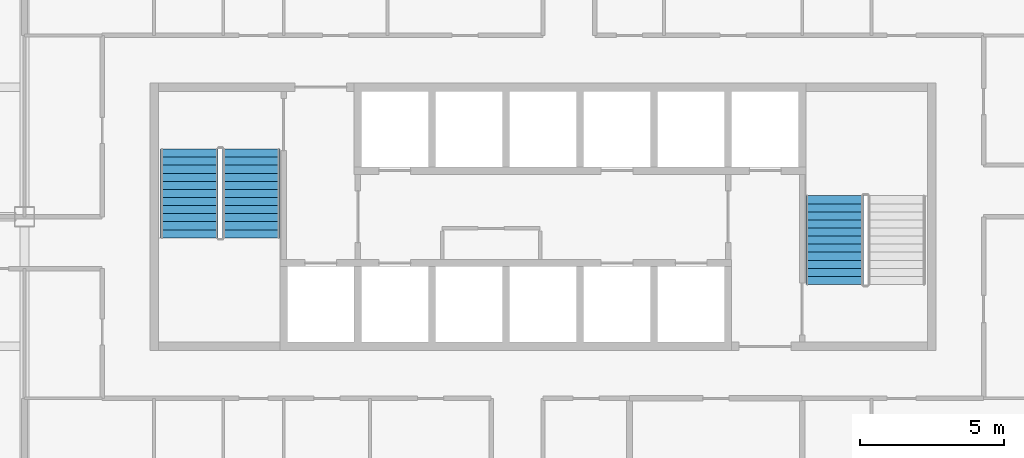
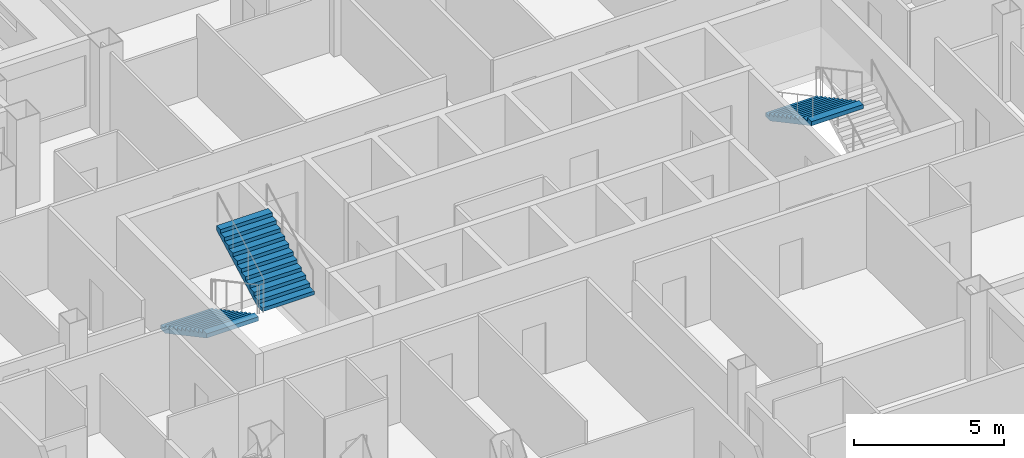
# One storey, part 11 of 15: 3 stair flights, 2 elements without a shape of their own.
"""IFC4 building model written with IfcOpenShell, lengths in metres."""

from ifc_helpers import new_model, si_unit, direction, frame, origin, place, context, subcontext, project, spatial, polygons, material, type_object, element, aggregate, save


model = new_model("IFC4")

# Units and contexts
model_context = context("Model", 3, precision=1e-05, world=origin(), true_north=direction((0.0, 1.0)))
body_context = subcontext(model_context, "Body", "Model", "MODEL_VIEW")
ifc_project = project(units=[si_unit("LENGTHUNIT", "METRE"), si_unit("AREAUNIT", "SQUARE_METRE"), si_unit("VOLUMEUNIT", "CUBIC_METRE"), si_unit("PLANEANGLEUNIT", "RADIAN"), si_unit("MASSUNIT", "GRAM", prefix="KILO")], contexts=[model_context])

# Site, building, storey
site_placement = place(None, origin())
site = spatial("IfcSite", under=ifc_project, at=site_placement, CompositionType="ELEMENT")
building_placement = place(site_placement, origin())
building = spatial("IfcBuilding", under=site, at=building_placement, Name="Caravel Reach Hotel and Residences", CompositionType="ELEMENT")
storey_placement = place(building_placement, frame((0.0, 0.0, 104.39990234375)))
storey = spatial("IfcBuildingStorey", under=building, at=storey_placement, Name="L25", CompositionType="ELEMENT", Elevation=104.39990234375)

# Stair, stair flights
ifc_material_1 = material(Name="Concrete C40", Category="concrete")
stair_type = type_object("IfcStairType", Name="Core stair", PredefinedType="HALF_TURN_STAIR", material=ifc_material_1)
stair_1_placement = place(storey_placement, origin())
stair_1 = element("IfcStair", 1, at=stair_1_placement, inside=storey, type_object=stair_type, Name="L25 Exit stair A", PredefinedType="HALF_TURN_STAIR")
ifc_material_2 = material(Name="Concrete C40", Category="concrete")
stair_flight_type = type_object("IfcStairFlightType", Name="Core stair flight", PredefinedType="STRAIGHT", material=ifc_material_2)
stair_flight_1_placement = place(storey_placement, frame((19.22509765625, 29.35009765625, 0.0), z_axis=(0.0, 0.0, 1.0), x_axis=(0.0, -1.0, 0.0)))
stair_flight_1 = element("IfcStairFlight", 2, at=stair_flight_1_placement, type_object=stair_flight_type, Name="ST-A flight 1", NumberOfRisers=12, NumberOfTreads=11, PredefinedType="STRAIGHT", RiserHeight=0.15, TreadLength=0.28, context=body_context, shape_type="Tessellation", body=[
    polygons([(0.3174408016601862, 1.0, 0.0), (0.3174408016601862, 0.6666666666666667, 0.0), (0.3174408016601862, 0.33333333333333337, 0.0), (0.3174408016601862, 0.0, 0.0), (0.3174408016601862, -0.33333333333333326, 0.0), (0.3174408016601862, -0.6666666666666667, 0.0), (0.3174408016601862, -1.0, 0.0), (3.081, 1.0, 1.479942427682043), (3.081, 0.6666666666666667, 1.479942427682043), (3.081, 0.33333333333333337, 1.479942427682043), (3.081, 0.0, 1.479942427682043), (3.081, -0.33333333333333326, 1.479942427682043), (3.081, -0.6666666666666667, 1.479942427682043), (3.081, -1.0, 1.479942427682043), (3.081, 1.0, 1.65), (3.081, 0.6666666666666667, 1.65), (3.081, 0.33333333333333337, 1.65), (3.081, 0.0, 1.65), (3.081, -0.33333333333333326, 1.65), (3.081, -0.6666666666666667, 1.65), (3.081, -1.0, 1.65), (2.8000000000000003, 1.0, 1.65), (2.8000000000000003, 0.6666666666666667, 1.65), (2.8000000000000003, 0.33333333333333337, 1.65), (2.8000000000000003, 0.0, 1.65), (2.8000000000000003, -0.33333333333333326, 1.65), (2.8000000000000003, -0.6666666666666667, 1.65), (2.8000000000000003, -1.0, 1.65), (2.8000000000000003, 1.0, 1.5), (2.8000000000000003, 0.6666666666666667, 1.5), (2.8000000000000003, 0.33333333333333337, 1.5), (2.8000000000000003, 0.0, 1.5), (2.8000000000000003, -0.33333333333333326, 1.5), (2.8000000000000003, -0.6666666666666667, 1.5), (2.8000000000000003, -1.0, 1.5), (2.5200000000000005, 1.0, 1.5), (2.5200000000000005, 0.6666666666666667, 1.5), (2.5200000000000005, 0.33333333333333337, 1.5), (2.5200000000000005, 0.0, 1.5), (2.5200000000000005, -0.33333333333333326, 1.5), (2.5200000000000005, -0.6666666666666667, 1.5), (2.5200000000000005, -1.0, 1.5), (2.5200000000000005, 1.0, 1.3499999999999999), (2.5200000000000005, 0.6666666666666667, 1.3499999999999999), (2.5200000000000005, 0.33333333333333337, 1.3499999999999999), (2.5200000000000005, 0.0, 1.3499999999999999), (2.5200000000000005, -0.33333333333333326, 1.3499999999999999), (2.5200000000000005, -0.6666666666666667, 1.3499999999999999), (2.5200000000000005, -1.0, 1.3499999999999999), (2.24, 1.0, 1.3499999999999999), (2.24, 0.6666666666666667, 1.3499999999999999), (2.24, 0.33333333333333337, 1.3499999999999999), (2.24, 0.0, 1.3499999999999999), (2.24, -0.33333333333333326, 1.3499999999999999), (2.24, -0.6666666666666667, 1.3499999999999999), (2.24, -1.0, 1.3499999999999999), (2.24, 1.0, 1.2), (2.24, 0.6666666666666667, 1.2), (2.24, 0.33333333333333337, 1.2), (2.24, 0.0, 1.2), (2.24, -0.33333333333333326, 1.2), (2.24, -0.6666666666666667, 1.2), (2.24, -1.0, 1.2), (1.9600000000000002, 1.0, 1.2), (1.9600000000000002, 0.6666666666666667, 1.2), (1.9600000000000002, 0.33333333333333337, 1.2), (1.9600000000000002, 0.0, 1.2), (1.9600000000000002, -0.33333333333333326, 1.2), (1.9600000000000002, -0.6666666666666667, 1.2), (1.9600000000000002, -1.0, 1.2), (1.9600000000000002, 1.0, 1.05), (1.9600000000000002, 0.6666666666666667, 1.05), (1.9600000000000002, 0.33333333333333337, 1.05), (1.9600000000000002, 0.0, 1.05), (1.9600000000000002, -0.33333333333333326, 1.05), (1.9600000000000002, -0.6666666666666667, 1.05), (1.9600000000000002, -1.0, 1.05), (1.6800000000000002, 1.0, 1.05), (1.6800000000000002, 0.6666666666666667, 1.05), (1.6800000000000002, 0.33333333333333337, 1.05), (1.6800000000000002, 0.0, 1.05), (1.6800000000000002, -0.33333333333333326, 1.05), (1.6800000000000002, -0.6666666666666667, 1.05), (1.6800000000000002, -1.0, 1.05), (1.6800000000000002, 1.0, 0.8999999999999999), (1.6800000000000002, 0.6666666666666667, 0.8999999999999999), (1.6800000000000002, 0.33333333333333337, 0.8999999999999999), (1.6800000000000002, 0.0, 0.8999999999999999), (1.6800000000000002, -0.33333333333333326, 0.8999999999999999), (1.6800000000000002, -0.6666666666666667, 0.8999999999999999), (1.6800000000000002, -1.0, 0.8999999999999999), (1.4000000000000001, 1.0, 0.8999999999999999), (1.4000000000000001, 0.6666666666666667, 0.8999999999999999), (1.4000000000000001, 0.33333333333333337, 0.8999999999999999), (1.4000000000000001, 0.0, 0.8999999999999999), (1.4000000000000001, -0.33333333333333326, 0.8999999999999999), (1.4000000000000001, -0.6666666666666667, 0.8999999999999999), (1.4000000000000001, -1.0, 0.8999999999999999), (1.4000000000000001, 1.0, 0.75), (1.4000000000000001, 0.6666666666666667, 0.75), (1.4000000000000001, 0.33333333333333337, 0.75), (1.4000000000000001, 0.0, 0.75), (1.4000000000000001, -0.33333333333333326, 0.75), (1.4000000000000001, -0.6666666666666667, 0.75), (1.4000000000000001, -1.0, 0.75), (1.12, 1.0, 0.75), (1.12, 0.6666666666666667, 0.75), (1.12, 0.33333333333333337, 0.75), (1.12, 0.0, 0.75), (1.12, -0.33333333333333326, 0.75), (1.12, -0.6666666666666667, 0.75), (1.12, -1.0, 0.75), (1.12, 1.0, 0.6), (1.12, 0.6666666666666667, 0.6), (1.12, 0.33333333333333337, 0.6), (1.12, 0.0, 0.6), (1.12, -0.33333333333333326, 0.6), (1.12, -0.6666666666666667, 0.6), (1.12, -1.0, 0.6), (0.8400000000000001, 1.0, 0.6), (0.8400000000000001, 0.6666666666666667, 0.6), (0.8400000000000001, 0.33333333333333337, 0.6), (0.8400000000000001, 0.0, 0.6), (0.8400000000000001, -0.33333333333333326, 0.6), (0.8400000000000001, -0.6666666666666667, 0.6), (0.8400000000000001, -1.0, 0.6), (0.8400000000000001, 1.0, 0.44999999999999996), (0.8400000000000001, 0.6666666666666667, 0.44999999999999996), (0.8400000000000001, 0.33333333333333337, 0.44999999999999996), (0.8400000000000001, 0.0, 0.44999999999999996), (0.8400000000000001, -0.33333333333333326, 0.44999999999999996), (0.8400000000000001, -0.6666666666666667, 0.44999999999999996), (0.8400000000000001, -1.0, 0.44999999999999996), (0.56, 1.0, 0.44999999999999996), (0.56, 0.6666666666666667, 0.44999999999999996), (0.56, 0.33333333333333337, 0.44999999999999996), (0.56, 0.0, 0.44999999999999996), (0.56, -0.33333333333333326, 0.44999999999999996), (0.56, -0.6666666666666667, 0.44999999999999996), (0.56, -1.0, 0.44999999999999996), (0.56, 1.0, 0.3), (0.56, 0.6666666666666667, 0.3), (0.56, 0.33333333333333337, 0.3), (0.56, 0.0, 0.3), (0.56, -0.33333333333333326, 0.3), (0.56, -0.6666666666666667, 0.3), (0.56, -1.0, 0.3), (0.28, 1.0, 0.3), (0.28, 0.6666666666666667, 0.3), (0.28, 0.33333333333333337, 0.3), (0.28, 0.0, 0.3), (0.28, -0.33333333333333326, 0.3), (0.28, -0.6666666666666667, 0.3), (0.28, -1.0, 0.3), (0.28, 1.0, 0.15), (0.28, 0.6666666666666667, 0.15), (0.28, 0.33333333333333337, 0.15), (0.28, 0.0, 0.15), (0.28, -0.33333333333333326, 0.15), (0.28, -0.6666666666666667, 0.15), (0.28, -1.0, 0.15), (-0.001, 1.0, 0.15), (-0.001, 0.6666666666666667, 0.15), (-0.001, 0.33333333333333337, 0.15), (-0.001, 0.0, 0.15), (-0.001, -0.33333333333333326, 0.15), (-0.001, -0.6666666666666667, 0.15), (-0.001, -1.0, 0.15), (-0.001, 1.0, 0.0), (-0.001, 0.6666666666666667, 0.0), (-0.001, 0.33333333333333337, 0.0), (-0.001, 0.0, 0.0), (-0.001, -0.33333333333333326, 0.0), (-0.001, -0.6666666666666667, 0.0), (-0.001, -1.0, 0.0)], [[[169, 162, 155, 148, 141, 134, 127, 120, 113, 106, 99, 92, 85, 78, 71, 64, 57, 50, 43, 36, 29, 22, 15, 8, 1]], [[7, 14, 21, 28, 35, 42, 49, 56, 63, 70, 77, 84, 91, 98, 105, 112, 119, 126, 133, 140, 147, 154, 161, 168, 175]], [[1, 8, 9, 2]], [[2, 9, 10, 3]], [[3, 10, 11, 4]], [[4, 11, 12, 5]], [[5, 12, 13, 6]], [[6, 13, 14, 7]], [[8, 15, 16, 9]], [[9, 16, 17, 10]], [[10, 17, 18, 11]], [[11, 18, 19, 12]], [[12, 19, 20, 13]], [[13, 20, 21, 14]], [[15, 22, 23, 16]], [[16, 23, 24, 17]], [[17, 24, 25, 18]], [[18, 25, 26, 19]], [[19, 26, 27, 20]], [[20, 27, 28, 21]], [[22, 29, 30, 23]], [[23, 30, 31, 24]], [[24, 31, 32, 25]], [[25, 32, 33, 26]], [[26, 33, 34, 27]], [[27, 34, 35, 28]], [[29, 36, 37, 30]], [[30, 37, 38, 31]], [[31, 38, 39, 32]], [[32, 39, 40, 33]], [[33, 40, 41, 34]], [[34, 41, 42, 35]], [[36, 43, 44, 37]], [[37, 44, 45, 38]], [[38, 45, 46, 39]], [[39, 46, 47, 40]], [[40, 47, 48, 41]], [[41, 48, 49, 42]], [[43, 50, 51, 44]], [[44, 51, 52, 45]], [[45, 52, 53, 46]], [[46, 53, 54, 47]], [[47, 54, 55, 48]], [[48, 55, 56, 49]], [[50, 57, 58, 51]], [[51, 58, 59, 52]], [[52, 59, 60, 53]], [[53, 60, 61, 54]], [[54, 61, 62, 55]], [[55, 62, 63, 56]], [[57, 64, 65, 58]], [[58, 65, 66, 59]], [[59, 66, 67, 60]], [[60, 67, 68, 61]], [[61, 68, 69, 62]], [[62, 69, 70, 63]], [[64, 71, 72, 65]], [[65, 72, 73, 66]], [[66, 73, 74, 67]], [[67, 74, 75, 68]], [[68, 75, 76, 69]], [[69, 76, 77, 70]], [[71, 78, 79, 72]], [[72, 79, 80, 73]], [[73, 80, 81, 74]], [[74, 81, 82, 75]], [[75, 82, 83, 76]], [[76, 83, 84, 77]], [[78, 85, 86, 79]], [[79, 86, 87, 80]], [[80, 87, 88, 81]], [[81, 88, 89, 82]], [[82, 89, 90, 83]], [[83, 90, 91, 84]], [[85, 92, 93, 86]], [[86, 93, 94, 87]], [[87, 94, 95, 88]], [[88, 95, 96, 89]], [[89, 96, 97, 90]], [[90, 97, 98, 91]], [[92, 99, 100, 93]], [[93, 100, 101, 94]], [[94, 101, 102, 95]], [[95, 102, 103, 96]], [[96, 103, 104, 97]], [[97, 104, 105, 98]], [[99, 106, 107, 100]], [[100, 107, 108, 101]], [[101, 108, 109, 102]], [[102, 109, 110, 103]], [[103, 110, 111, 104]], [[104, 111, 112, 105]], [[106, 113, 114, 107]], [[107, 114, 115, 108]], [[108, 115, 116, 109]], [[109, 116, 117, 110]], [[110, 117, 118, 111]], [[111, 118, 119, 112]], [[113, 120, 121, 114]], [[114, 121, 122, 115]], [[115, 122, 123, 116]], [[116, 123, 124, 117]], [[117, 124, 125, 118]], [[118, 125, 126, 119]], [[120, 127, 128, 121]], [[121, 128, 129, 122]], [[122, 129, 130, 123]], [[123, 130, 131, 124]], [[124, 131, 132, 125]], [[125, 132, 133, 126]], [[127, 134, 135, 128]], [[128, 135, 136, 129]], [[129, 136, 137, 130]], [[130, 137, 138, 131]], [[131, 138, 139, 132]], [[132, 139, 140, 133]], [[134, 141, 142, 135]], [[135, 142, 143, 136]], [[136, 143, 144, 137]], [[137, 144, 145, 138]], [[138, 145, 146, 139]], [[139, 146, 147, 140]], [[141, 148, 149, 142]], [[142, 149, 150, 143]], [[143, 150, 151, 144]], [[144, 151, 152, 145]], [[145, 152, 153, 146]], [[146, 153, 154, 147]], [[148, 155, 156, 149]], [[149, 156, 157, 150]], [[150, 157, 158, 151]], [[151, 158, 159, 152]], [[152, 159, 160, 153]], [[153, 160, 161, 154]], [[155, 162, 163, 156]], [[156, 163, 164, 157]], [[157, 164, 165, 158]], [[158, 165, 166, 159]], [[159, 166, 167, 160]], [[160, 167, 168, 161]], [[162, 169, 170, 163]], [[163, 170, 171, 164]], [[164, 171, 172, 165]], [[165, 172, 173, 166]], [[166, 173, 174, 167]], [[167, 174, 175, 168]], [[169, 1, 2, 170]], [[170, 2, 3, 171]], [[171, 3, 4, 172]], [[172, 4, 5, 173]], [[173, 5, 6, 174]], [[174, 6, 7, 175]]], closed=True),
])
stair_flight_2_placement = place(storey_placement, frame((21.375, 26.27001953125, 1.800048828125), z_axis=(0.0, 0.0, 1.0), x_axis=(0.0, 1.0, 0.0)))
stair_flight_2 = element("IfcStairFlight", 3, at=stair_flight_2_placement, type_object=stair_flight_type, Name="ST-A flight 2", NumberOfRisers=12, NumberOfTreads=11, PredefinedType="STRAIGHT", RiserHeight=0.15, TreadLength=0.28, context=body_context, shape_type="Tessellation", body=[
    polygons([(0.3174408016601862, 1.0, 0.0), (0.3174408016601862, 0.6666666666666667, 0.0), (0.3174408016601862, 0.33333333333333337, 0.0), (0.3174408016601862, 0.0, 0.0), (0.3174408016601862, -0.33333333333333326, 0.0), (0.3174408016601862, -0.6666666666666667, 0.0), (0.3174408016601862, -1.0, 0.0), (3.081, 1.0, 1.479942427682043), (3.081, 0.6666666666666667, 1.479942427682043), (3.081, 0.33333333333333337, 1.479942427682043), (3.081, 0.0, 1.479942427682043), (3.081, -0.33333333333333326, 1.479942427682043), (3.081, -0.6666666666666667, 1.479942427682043), (3.081, -1.0, 1.479942427682043), (3.081, 1.0, 1.65), (3.081, 0.6666666666666667, 1.65), (3.081, 0.33333333333333337, 1.65), (3.081, 0.0, 1.65), (3.081, -0.33333333333333326, 1.65), (3.081, -0.6666666666666667, 1.65), (3.081, -1.0, 1.65), (2.8000000000000003, 1.0, 1.65), (2.8000000000000003, 0.6666666666666667, 1.65), (2.8000000000000003, 0.33333333333333337, 1.65), (2.8000000000000003, 0.0, 1.65), (2.8000000000000003, -0.33333333333333326, 1.65), (2.8000000000000003, -0.6666666666666667, 1.65), (2.8000000000000003, -1.0, 1.65), (2.8000000000000003, 1.0, 1.5), (2.8000000000000003, 0.6666666666666667, 1.5), (2.8000000000000003, 0.33333333333333337, 1.5), (2.8000000000000003, 0.0, 1.5), (2.8000000000000003, -0.33333333333333326, 1.5), (2.8000000000000003, -0.6666666666666667, 1.5), (2.8000000000000003, -1.0, 1.5), (2.5200000000000005, 1.0, 1.5), (2.5200000000000005, 0.6666666666666667, 1.5), (2.5200000000000005, 0.33333333333333337, 1.5), (2.5200000000000005, 0.0, 1.5), (2.5200000000000005, -0.33333333333333326, 1.5), (2.5200000000000005, -0.6666666666666667, 1.5), (2.5200000000000005, -1.0, 1.5), (2.5200000000000005, 1.0, 1.3499999999999999), (2.5200000000000005, 0.6666666666666667, 1.3499999999999999), (2.5200000000000005, 0.33333333333333337, 1.3499999999999999), (2.5200000000000005, 0.0, 1.3499999999999999), (2.5200000000000005, -0.33333333333333326, 1.3499999999999999), (2.5200000000000005, -0.6666666666666667, 1.3499999999999999), (2.5200000000000005, -1.0, 1.3499999999999999), (2.24, 1.0, 1.3499999999999999), (2.24, 0.6666666666666667, 1.3499999999999999), (2.24, 0.33333333333333337, 1.3499999999999999), (2.24, 0.0, 1.3499999999999999), (2.24, -0.33333333333333326, 1.3499999999999999), (2.24, -0.6666666666666667, 1.3499999999999999), (2.24, -1.0, 1.3499999999999999), (2.24, 1.0, 1.2), (2.24, 0.6666666666666667, 1.2), (2.24, 0.33333333333333337, 1.2), (2.24, 0.0, 1.2), (2.24, -0.33333333333333326, 1.2), (2.24, -0.6666666666666667, 1.2), (2.24, -1.0, 1.2), (1.9600000000000002, 1.0, 1.2), (1.9600000000000002, 0.6666666666666667, 1.2), (1.9600000000000002, 0.33333333333333337, 1.2), (1.9600000000000002, 0.0, 1.2), (1.9600000000000002, -0.33333333333333326, 1.2), (1.9600000000000002, -0.6666666666666667, 1.2), (1.9600000000000002, -1.0, 1.2), (1.9600000000000002, 1.0, 1.05), (1.9600000000000002, 0.6666666666666667, 1.05), (1.9600000000000002, 0.33333333333333337, 1.05), (1.9600000000000002, 0.0, 1.05), (1.9600000000000002, -0.33333333333333326, 1.05), (1.9600000000000002, -0.6666666666666667, 1.05), (1.9600000000000002, -1.0, 1.05), (1.6800000000000002, 1.0, 1.05), (1.6800000000000002, 0.6666666666666667, 1.05), (1.6800000000000002, 0.33333333333333337, 1.05), (1.6800000000000002, 0.0, 1.05), (1.6800000000000002, -0.33333333333333326, 1.05), (1.6800000000000002, -0.6666666666666667, 1.05), (1.6800000000000002, -1.0, 1.05), (1.6800000000000002, 1.0, 0.8999999999999999), (1.6800000000000002, 0.6666666666666667, 0.8999999999999999), (1.6800000000000002, 0.33333333333333337, 0.8999999999999999), (1.6800000000000002, 0.0, 0.8999999999999999), (1.6800000000000002, -0.33333333333333326, 0.8999999999999999), (1.6800000000000002, -0.6666666666666667, 0.8999999999999999), (1.6800000000000002, -1.0, 0.8999999999999999), (1.4000000000000001, 1.0, 0.8999999999999999), (1.4000000000000001, 0.6666666666666667, 0.8999999999999999), (1.4000000000000001, 0.33333333333333337, 0.8999999999999999), (1.4000000000000001, 0.0, 0.8999999999999999), (1.4000000000000001, -0.33333333333333326, 0.8999999999999999), (1.4000000000000001, -0.6666666666666667, 0.8999999999999999), (1.4000000000000001, -1.0, 0.8999999999999999), (1.4000000000000001, 1.0, 0.75), (1.4000000000000001, 0.6666666666666667, 0.75), (1.4000000000000001, 0.33333333333333337, 0.75), (1.4000000000000001, 0.0, 0.75), (1.4000000000000001, -0.33333333333333326, 0.75), (1.4000000000000001, -0.6666666666666667, 0.75), (1.4000000000000001, -1.0, 0.75), (1.12, 1.0, 0.75), (1.12, 0.6666666666666667, 0.75), (1.12, 0.33333333333333337, 0.75), (1.12, 0.0, 0.75), (1.12, -0.33333333333333326, 0.75), (1.12, -0.6666666666666667, 0.75), (1.12, -1.0, 0.75), (1.12, 1.0, 0.6), (1.12, 0.6666666666666667, 0.6), (1.12, 0.33333333333333337, 0.6), (1.12, 0.0, 0.6), (1.12, -0.33333333333333326, 0.6), (1.12, -0.6666666666666667, 0.6), (1.12, -1.0, 0.6), (0.8400000000000001, 1.0, 0.6), (0.8400000000000001, 0.6666666666666667, 0.6), (0.8400000000000001, 0.33333333333333337, 0.6), (0.8400000000000001, 0.0, 0.6), (0.8400000000000001, -0.33333333333333326, 0.6), (0.8400000000000001, -0.6666666666666667, 0.6), (0.8400000000000001, -1.0, 0.6), (0.8400000000000001, 1.0, 0.44999999999999996), (0.8400000000000001, 0.6666666666666667, 0.44999999999999996), (0.8400000000000001, 0.33333333333333337, 0.44999999999999996), (0.8400000000000001, 0.0, 0.44999999999999996), (0.8400000000000001, -0.33333333333333326, 0.44999999999999996), (0.8400000000000001, -0.6666666666666667, 0.44999999999999996), (0.8400000000000001, -1.0, 0.44999999999999996), (0.56, 1.0, 0.44999999999999996), (0.56, 0.6666666666666667, 0.44999999999999996), (0.56, 0.33333333333333337, 0.44999999999999996), (0.56, 0.0, 0.44999999999999996), (0.56, -0.33333333333333326, 0.44999999999999996), (0.56, -0.6666666666666667, 0.44999999999999996), (0.56, -1.0, 0.44999999999999996), (0.56, 1.0, 0.3), (0.56, 0.6666666666666667, 0.3), (0.56, 0.33333333333333337, 0.3), (0.56, 0.0, 0.3), (0.56, -0.33333333333333326, 0.3), (0.56, -0.6666666666666667, 0.3), (0.56, -1.0, 0.3), (0.28, 1.0, 0.3), (0.28, 0.6666666666666667, 0.3), (0.28, 0.33333333333333337, 0.3), (0.28, 0.0, 0.3), (0.28, -0.33333333333333326, 0.3), (0.28, -0.6666666666666667, 0.3), (0.28, -1.0, 0.3), (0.28, 1.0, 0.15), (0.28, 0.6666666666666667, 0.15), (0.28, 0.33333333333333337, 0.15), (0.28, 0.0, 0.15), (0.28, -0.33333333333333326, 0.15), (0.28, -0.6666666666666667, 0.15), (0.28, -1.0, 0.15), (-0.001, 1.0, 0.15), (-0.001, 0.6666666666666667, 0.15), (-0.001, 0.33333333333333337, 0.15), (-0.001, 0.0, 0.15), (-0.001, -0.33333333333333326, 0.15), (-0.001, -0.6666666666666667, 0.15), (-0.001, -1.0, 0.15), (-0.001, 1.0, 0.0), (-0.001, 0.6666666666666667, 0.0), (-0.001, 0.33333333333333337, 0.0), (-0.001, 0.0, 0.0), (-0.001, -0.33333333333333326, 0.0), (-0.001, -0.6666666666666667, 0.0), (-0.001, -1.0, 0.0)], [[[169, 162, 155, 148, 141, 134, 127, 120, 113, 106, 99, 92, 85, 78, 71, 64, 57, 50, 43, 36, 29, 22, 15, 8, 1]], [[7, 14, 21, 28, 35, 42, 49, 56, 63, 70, 77, 84, 91, 98, 105, 112, 119, 126, 133, 140, 147, 154, 161, 168, 175]], [[1, 8, 9, 2]], [[2, 9, 10, 3]], [[3, 10, 11, 4]], [[4, 11, 12, 5]], [[5, 12, 13, 6]], [[6, 13, 14, 7]], [[8, 15, 16, 9]], [[9, 16, 17, 10]], [[10, 17, 18, 11]], [[11, 18, 19, 12]], [[12, 19, 20, 13]], [[13, 20, 21, 14]], [[15, 22, 23, 16]], [[16, 23, 24, 17]], [[17, 24, 25, 18]], [[18, 25, 26, 19]], [[19, 26, 27, 20]], [[20, 27, 28, 21]], [[22, 29, 30, 23]], [[23, 30, 31, 24]], [[24, 31, 32, 25]], [[25, 32, 33, 26]], [[26, 33, 34, 27]], [[27, 34, 35, 28]], [[29, 36, 37, 30]], [[30, 37, 38, 31]], [[31, 38, 39, 32]], [[32, 39, 40, 33]], [[33, 40, 41, 34]], [[34, 41, 42, 35]], [[36, 43, 44, 37]], [[37, 44, 45, 38]], [[38, 45, 46, 39]], [[39, 46, 47, 40]], [[40, 47, 48, 41]], [[41, 48, 49, 42]], [[43, 50, 51, 44]], [[44, 51, 52, 45]], [[45, 52, 53, 46]], [[46, 53, 54, 47]], [[47, 54, 55, 48]], [[48, 55, 56, 49]], [[50, 57, 58, 51]], [[51, 58, 59, 52]], [[52, 59, 60, 53]], [[53, 60, 61, 54]], [[54, 61, 62, 55]], [[55, 62, 63, 56]], [[57, 64, 65, 58]], [[58, 65, 66, 59]], [[59, 66, 67, 60]], [[60, 67, 68, 61]], [[61, 68, 69, 62]], [[62, 69, 70, 63]], [[64, 71, 72, 65]], [[65, 72, 73, 66]], [[66, 73, 74, 67]], [[67, 74, 75, 68]], [[68, 75, 76, 69]], [[69, 76, 77, 70]], [[71, 78, 79, 72]], [[72, 79, 80, 73]], [[73, 80, 81, 74]], [[74, 81, 82, 75]], [[75, 82, 83, 76]], [[76, 83, 84, 77]], [[78, 85, 86, 79]], [[79, 86, 87, 80]], [[80, 87, 88, 81]], [[81, 88, 89, 82]], [[82, 89, 90, 83]], [[83, 90, 91, 84]], [[85, 92, 93, 86]], [[86, 93, 94, 87]], [[87, 94, 95, 88]], [[88, 95, 96, 89]], [[89, 96, 97, 90]], [[90, 97, 98, 91]], [[92, 99, 100, 93]], [[93, 100, 101, 94]], [[94, 101, 102, 95]], [[95, 102, 103, 96]], [[96, 103, 104, 97]], [[97, 104, 105, 98]], [[99, 106, 107, 100]], [[100, 107, 108, 101]], [[101, 108, 109, 102]], [[102, 109, 110, 103]], [[103, 110, 111, 104]], [[104, 111, 112, 105]], [[106, 113, 114, 107]], [[107, 114, 115, 108]], [[108, 115, 116, 109]], [[109, 116, 117, 110]], [[110, 117, 118, 111]], [[111, 118, 119, 112]], [[113, 120, 121, 114]], [[114, 121, 122, 115]], [[115, 122, 123, 116]], [[116, 123, 124, 117]], [[117, 124, 125, 118]], [[118, 125, 126, 119]], [[120, 127, 128, 121]], [[121, 128, 129, 122]], [[122, 129, 130, 123]], [[123, 130, 131, 124]], [[124, 131, 132, 125]], [[125, 132, 133, 126]], [[127, 134, 135, 128]], [[128, 135, 136, 129]], [[129, 136, 137, 130]], [[130, 137, 138, 131]], [[131, 138, 139, 132]], [[132, 139, 140, 133]], [[134, 141, 142, 135]], [[135, 142, 143, 136]], [[136, 143, 144, 137]], [[137, 144, 145, 138]], [[138, 145, 146, 139]], [[139, 146, 147, 140]], [[141, 148, 149, 142]], [[142, 149, 150, 143]], [[143, 150, 151, 144]], [[144, 151, 152, 145]], [[145, 152, 153, 146]], [[146, 153, 154, 147]], [[148, 155, 156, 149]], [[149, 156, 157, 150]], [[150, 157, 158, 151]], [[151, 158, 159, 152]], [[152, 159, 160, 153]], [[153, 160, 161, 154]], [[155, 162, 163, 156]], [[156, 163, 164, 157]], [[157, 164, 165, 158]], [[158, 165, 166, 159]], [[159, 166, 167, 160]], [[160, 167, 168, 161]], [[162, 169, 170, 163]], [[163, 170, 171, 164]], [[164, 171, 172, 165]], [[165, 172, 173, 166]], [[166, 173, 174, 167]], [[167, 174, 175, 168]], [[169, 1, 2, 170]], [[170, 2, 3, 171]], [[171, 3, 4, 172]], [[172, 4, 5, 173]], [[173, 5, 6, 174]], [[174, 6, 7, 175]]], closed=True),
])
aggregate(stair_1, [stair_flight_1, stair_flight_2])

# Stair, stair flight
stair_2_placement = place(storey_placement, origin())
stair_2 = element("IfcStair", 4, at=stair_2_placement, inside=storey, type_object=stair_type, Name="L25 Exit stair B", PredefinedType="HALF_TURN_STAIR")
stair_flight_3_placement = place(storey_placement, frame((41.625, 27.72998046875, 1.800048828125), z_axis=(0.0, 0.0, 1.0), x_axis=(0.0, -1.0, 0.0)))
stair_flight_3 = element("IfcStairFlight", 5, at=stair_flight_3_placement, type_object=stair_flight_type, Name="ST-B flight 2", NumberOfRisers=12, NumberOfTreads=11, PredefinedType="STRAIGHT", RiserHeight=0.15, TreadLength=0.28, context=body_context, shape_type="Tessellation", body=[
    polygons([(0.3174408016601862, 1.0, 0.0), (0.3174408016601862, 0.6666666666666667, 0.0), (0.3174408016601862, 0.33333333333333337, 0.0), (0.3174408016601862, 0.0, 0.0), (0.3174408016601862, -0.33333333333333326, 0.0), (0.3174408016601862, -0.6666666666666667, 0.0), (0.3174408016601862, -1.0, 0.0), (3.081, 1.0, 1.479942427682043), (3.081, 0.6666666666666667, 1.479942427682043), (3.081, 0.33333333333333337, 1.479942427682043), (3.081, 0.0, 1.479942427682043), (3.081, -0.33333333333333326, 1.479942427682043), (3.081, -0.6666666666666667, 1.479942427682043), (3.081, -1.0, 1.479942427682043), (3.081, 1.0, 1.65), (3.081, 0.6666666666666667, 1.65), (3.081, 0.33333333333333337, 1.65), (3.081, 0.0, 1.65), (3.081, -0.33333333333333326, 1.65), (3.081, -0.6666666666666667, 1.65), (3.081, -1.0, 1.65), (2.8000000000000003, 1.0, 1.65), (2.8000000000000003, 0.6666666666666667, 1.65), (2.8000000000000003, 0.33333333333333337, 1.65), (2.8000000000000003, 0.0, 1.65), (2.8000000000000003, -0.33333333333333326, 1.65), (2.8000000000000003, -0.6666666666666667, 1.65), (2.8000000000000003, -1.0, 1.65), (2.8000000000000003, 1.0, 1.5), (2.8000000000000003, 0.6666666666666667, 1.5), (2.8000000000000003, 0.33333333333333337, 1.5), (2.8000000000000003, 0.0, 1.5), (2.8000000000000003, -0.33333333333333326, 1.5), (2.8000000000000003, -0.6666666666666667, 1.5), (2.8000000000000003, -1.0, 1.5), (2.5200000000000005, 1.0, 1.5), (2.5200000000000005, 0.6666666666666667, 1.5), (2.5200000000000005, 0.33333333333333337, 1.5), (2.5200000000000005, 0.0, 1.5), (2.5200000000000005, -0.33333333333333326, 1.5), (2.5200000000000005, -0.6666666666666667, 1.5), (2.5200000000000005, -1.0, 1.5), (2.5200000000000005, 1.0, 1.3499999999999999), (2.5200000000000005, 0.6666666666666667, 1.3499999999999999), (2.5200000000000005, 0.33333333333333337, 1.3499999999999999), (2.5200000000000005, 0.0, 1.3499999999999999), (2.5200000000000005, -0.33333333333333326, 1.3499999999999999), (2.5200000000000005, -0.6666666666666667, 1.3499999999999999), (2.5200000000000005, -1.0, 1.3499999999999999), (2.24, 1.0, 1.3499999999999999), (2.24, 0.6666666666666667, 1.3499999999999999), (2.24, 0.33333333333333337, 1.3499999999999999), (2.24, 0.0, 1.3499999999999999), (2.24, -0.33333333333333326, 1.3499999999999999), (2.24, -0.6666666666666667, 1.3499999999999999), (2.24, -1.0, 1.3499999999999999), (2.24, 1.0, 1.2), (2.24, 0.6666666666666667, 1.2), (2.24, 0.33333333333333337, 1.2), (2.24, 0.0, 1.2), (2.24, -0.33333333333333326, 1.2), (2.24, -0.6666666666666667, 1.2), (2.24, -1.0, 1.2), (1.9600000000000002, 1.0, 1.2), (1.9600000000000002, 0.6666666666666667, 1.2), (1.9600000000000002, 0.33333333333333337, 1.2), (1.9600000000000002, 0.0, 1.2), (1.9600000000000002, -0.33333333333333326, 1.2), (1.9600000000000002, -0.6666666666666667, 1.2), (1.9600000000000002, -1.0, 1.2), (1.9600000000000002, 1.0, 1.05), (1.9600000000000002, 0.6666666666666667, 1.05), (1.9600000000000002, 0.33333333333333337, 1.05), (1.9600000000000002, 0.0, 1.05), (1.9600000000000002, -0.33333333333333326, 1.05), (1.9600000000000002, -0.6666666666666667, 1.05), (1.9600000000000002, -1.0, 1.05), (1.6800000000000002, 1.0, 1.05), (1.6800000000000002, 0.6666666666666667, 1.05), (1.6800000000000002, 0.33333333333333337, 1.05), (1.6800000000000002, 0.0, 1.05), (1.6800000000000002, -0.33333333333333326, 1.05), (1.6800000000000002, -0.6666666666666667, 1.05), (1.6800000000000002, -1.0, 1.05), (1.6800000000000002, 1.0, 0.8999999999999999), (1.6800000000000002, 0.6666666666666667, 0.8999999999999999), (1.6800000000000002, 0.33333333333333337, 0.8999999999999999), (1.6800000000000002, 0.0, 0.8999999999999999), (1.6800000000000002, -0.33333333333333326, 0.8999999999999999), (1.6800000000000002, -0.6666666666666667, 0.8999999999999999), (1.6800000000000002, -1.0, 0.8999999999999999), (1.4000000000000001, 1.0, 0.8999999999999999), (1.4000000000000001, 0.6666666666666667, 0.8999999999999999), (1.4000000000000001, 0.33333333333333337, 0.8999999999999999), (1.4000000000000001, 0.0, 0.8999999999999999), (1.4000000000000001, -0.33333333333333326, 0.8999999999999999), (1.4000000000000001, -0.6666666666666667, 0.8999999999999999), (1.4000000000000001, -1.0, 0.8999999999999999), (1.4000000000000001, 1.0, 0.75), (1.4000000000000001, 0.6666666666666667, 0.75), (1.4000000000000001, 0.33333333333333337, 0.75), (1.4000000000000001, 0.0, 0.75), (1.4000000000000001, -0.33333333333333326, 0.75), (1.4000000000000001, -0.6666666666666667, 0.75), (1.4000000000000001, -1.0, 0.75), (1.12, 1.0, 0.75), (1.12, 0.6666666666666667, 0.75), (1.12, 0.33333333333333337, 0.75), (1.12, 0.0, 0.75), (1.12, -0.33333333333333326, 0.75), (1.12, -0.6666666666666667, 0.75), (1.12, -1.0, 0.75), (1.12, 1.0, 0.6), (1.12, 0.6666666666666667, 0.6), (1.12, 0.33333333333333337, 0.6), (1.12, 0.0, 0.6), (1.12, -0.33333333333333326, 0.6), (1.12, -0.6666666666666667, 0.6), (1.12, -1.0, 0.6), (0.8400000000000001, 1.0, 0.6), (0.8400000000000001, 0.6666666666666667, 0.6), (0.8400000000000001, 0.33333333333333337, 0.6), (0.8400000000000001, 0.0, 0.6), (0.8400000000000001, -0.33333333333333326, 0.6), (0.8400000000000001, -0.6666666666666667, 0.6), (0.8400000000000001, -1.0, 0.6), (0.8400000000000001, 1.0, 0.44999999999999996), (0.8400000000000001, 0.6666666666666667, 0.44999999999999996), (0.8400000000000001, 0.33333333333333337, 0.44999999999999996), (0.8400000000000001, 0.0, 0.44999999999999996), (0.8400000000000001, -0.33333333333333326, 0.44999999999999996), (0.8400000000000001, -0.6666666666666667, 0.44999999999999996), (0.8400000000000001, -1.0, 0.44999999999999996), (0.56, 1.0, 0.44999999999999996), (0.56, 0.6666666666666667, 0.44999999999999996), (0.56, 0.33333333333333337, 0.44999999999999996), (0.56, 0.0, 0.44999999999999996), (0.56, -0.33333333333333326, 0.44999999999999996), (0.56, -0.6666666666666667, 0.44999999999999996), (0.56, -1.0, 0.44999999999999996), (0.56, 1.0, 0.3), (0.56, 0.6666666666666667, 0.3), (0.56, 0.33333333333333337, 0.3), (0.56, 0.0, 0.3), (0.56, -0.33333333333333326, 0.3), (0.56, -0.6666666666666667, 0.3), (0.56, -1.0, 0.3), (0.28, 1.0, 0.3), (0.28, 0.6666666666666667, 0.3), (0.28, 0.33333333333333337, 0.3), (0.28, 0.0, 0.3), (0.28, -0.33333333333333326, 0.3), (0.28, -0.6666666666666667, 0.3), (0.28, -1.0, 0.3), (0.28, 1.0, 0.15), (0.28, 0.6666666666666667, 0.15), (0.28, 0.33333333333333337, 0.15), (0.28, 0.0, 0.15), (0.28, -0.33333333333333326, 0.15), (0.28, -0.6666666666666667, 0.15), (0.28, -1.0, 0.15), (-0.001, 1.0, 0.15), (-0.001, 0.6666666666666667, 0.15), (-0.001, 0.33333333333333337, 0.15), (-0.001, 0.0, 0.15), (-0.001, -0.33333333333333326, 0.15), (-0.001, -0.6666666666666667, 0.15), (-0.001, -1.0, 0.15), (-0.001, 1.0, 0.0), (-0.001, 0.6666666666666667, 0.0), (-0.001, 0.33333333333333337, 0.0), (-0.001, 0.0, 0.0), (-0.001, -0.33333333333333326, 0.0), (-0.001, -0.6666666666666667, 0.0), (-0.001, -1.0, 0.0)], [[[169, 162, 155, 148, 141, 134, 127, 120, 113, 106, 99, 92, 85, 78, 71, 64, 57, 50, 43, 36, 29, 22, 15, 8, 1]], [[7, 14, 21, 28, 35, 42, 49, 56, 63, 70, 77, 84, 91, 98, 105, 112, 119, 126, 133, 140, 147, 154, 161, 168, 175]], [[1, 8, 9, 2]], [[2, 9, 10, 3]], [[3, 10, 11, 4]], [[4, 11, 12, 5]], [[5, 12, 13, 6]], [[6, 13, 14, 7]], [[8, 15, 16, 9]], [[9, 16, 17, 10]], [[10, 17, 18, 11]], [[11, 18, 19, 12]], [[12, 19, 20, 13]], [[13, 20, 21, 14]], [[15, 22, 23, 16]], [[16, 23, 24, 17]], [[17, 24, 25, 18]], [[18, 25, 26, 19]], [[19, 26, 27, 20]], [[20, 27, 28, 21]], [[22, 29, 30, 23]], [[23, 30, 31, 24]], [[24, 31, 32, 25]], [[25, 32, 33, 26]], [[26, 33, 34, 27]], [[27, 34, 35, 28]], [[29, 36, 37, 30]], [[30, 37, 38, 31]], [[31, 38, 39, 32]], [[32, 39, 40, 33]], [[33, 40, 41, 34]], [[34, 41, 42, 35]], [[36, 43, 44, 37]], [[37, 44, 45, 38]], [[38, 45, 46, 39]], [[39, 46, 47, 40]], [[40, 47, 48, 41]], [[41, 48, 49, 42]], [[43, 50, 51, 44]], [[44, 51, 52, 45]], [[45, 52, 53, 46]], [[46, 53, 54, 47]], [[47, 54, 55, 48]], [[48, 55, 56, 49]], [[50, 57, 58, 51]], [[51, 58, 59, 52]], [[52, 59, 60, 53]], [[53, 60, 61, 54]], [[54, 61, 62, 55]], [[55, 62, 63, 56]], [[57, 64, 65, 58]], [[58, 65, 66, 59]], [[59, 66, 67, 60]], [[60, 67, 68, 61]], [[61, 68, 69, 62]], [[62, 69, 70, 63]], [[64, 71, 72, 65]], [[65, 72, 73, 66]], [[66, 73, 74, 67]], [[67, 74, 75, 68]], [[68, 75, 76, 69]], [[69, 76, 77, 70]], [[71, 78, 79, 72]], [[72, 79, 80, 73]], [[73, 80, 81, 74]], [[74, 81, 82, 75]], [[75, 82, 83, 76]], [[76, 83, 84, 77]], [[78, 85, 86, 79]], [[79, 86, 87, 80]], [[80, 87, 88, 81]], [[81, 88, 89, 82]], [[82, 89, 90, 83]], [[83, 90, 91, 84]], [[85, 92, 93, 86]], [[86, 93, 94, 87]], [[87, 94, 95, 88]], [[88, 95, 96, 89]], [[89, 96, 97, 90]], [[90, 97, 98, 91]], [[92, 99, 100, 93]], [[93, 100, 101, 94]], [[94, 101, 102, 95]], [[95, 102, 103, 96]], [[96, 103, 104, 97]], [[97, 104, 105, 98]], [[99, 106, 107, 100]], [[100, 107, 108, 101]], [[101, 108, 109, 102]], [[102, 109, 110, 103]], [[103, 110, 111, 104]], [[104, 111, 112, 105]], [[106, 113, 114, 107]], [[107, 114, 115, 108]], [[108, 115, 116, 109]], [[109, 116, 117, 110]], [[110, 117, 118, 111]], [[111, 118, 119, 112]], [[113, 120, 121, 114]], [[114, 121, 122, 115]], [[115, 122, 123, 116]], [[116, 123, 124, 117]], [[117, 124, 125, 118]], [[118, 125, 126, 119]], [[120, 127, 128, 121]], [[121, 128, 129, 122]], [[122, 129, 130, 123]], [[123, 130, 131, 124]], [[124, 131, 132, 125]], [[125, 132, 133, 126]], [[127, 134, 135, 128]], [[128, 135, 136, 129]], [[129, 136, 137, 130]], [[130, 137, 138, 131]], [[131, 138, 139, 132]], [[132, 139, 140, 133]], [[134, 141, 142, 135]], [[135, 142, 143, 136]], [[136, 143, 144, 137]], [[137, 144, 145, 138]], [[138, 145, 146, 139]], [[139, 146, 147, 140]], [[141, 148, 149, 142]], [[142, 149, 150, 143]], [[143, 150, 151, 144]], [[144, 151, 152, 145]], [[145, 152, 153, 146]], [[146, 153, 154, 147]], [[148, 155, 156, 149]], [[149, 156, 157, 150]], [[150, 157, 158, 151]], [[151, 158, 159, 152]], [[152, 159, 160, 153]], [[153, 160, 161, 154]], [[155, 162, 163, 156]], [[156, 163, 164, 157]], [[157, 164, 165, 158]], [[158, 165, 166, 159]], [[159, 166, 167, 160]], [[160, 167, 168, 161]], [[162, 169, 170, 163]], [[163, 170, 171, 164]], [[164, 171, 172, 165]], [[165, 172, 173, 166]], [[166, 173, 174, 167]], [[167, 174, 175, 168]], [[169, 1, 2, 170]], [[170, 2, 3, 171]], [[171, 3, 4, 172]], [[172, 4, 5, 173]], [[173, 5, 6, 174]], [[174, 6, 7, 175]]], closed=True),
])
aggregate(stair_2, [stair_flight_3])

save(model, "model.ifc")
